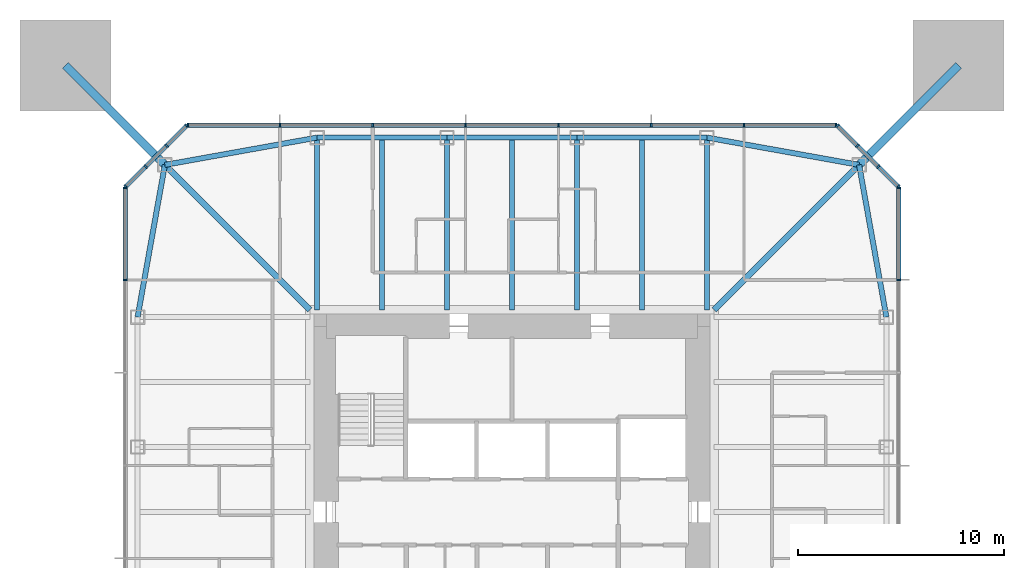
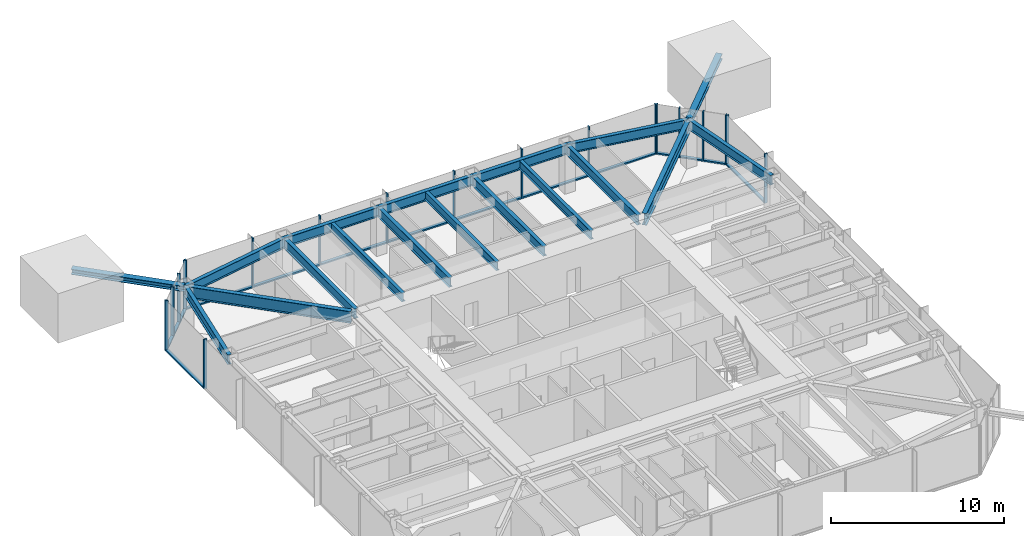
# One storey, part 4 of 11: 37 members, 16 beams, 5 elements without a shape of their own.
"""IFC4 building model written with IfcOpenShell, lengths in metres."""

import ifcopenshell
import ifcopenshell.guid

model = None  # the IFC model being written
_history = None  # IfcOwnerHistory: only IFC2X3 demands one
_inside = {}  # id of a spatial element -> (the spatial element, [elements in it])
_under = {}  # id of a project, library or spatial element -> (it, [spatial elements below it])
_declared = {}  # id of a project -> (the project, [libraries it declares])
_typed = {}  # id of a type object -> (the type object, [elements of that type])
_made_of = {}  # id of a material, layer set ... -> (it, [elements and type objects made of it])


def new_model(schema):
    """Start an empty IFC model of exactly this schema.

    Asked for "IFC4X3", IfcOpenShell would pick the latest addendum, in which some entities
    have other attributes; the version numbers below select the first issue.
    IFC2X3 requires an IfcOwnerHistory on every rooted entity: one is made here for all.
    """
    global model, _history
    if schema == "IFC4X3":
        model = ifcopenshell.file(schema_version=(4, 3, 0, 0))
    else:
        model = ifcopenshell.file(schema=schema)
    _inside.clear()
    _under.clear()
    _declared.clear()
    _typed.clear()
    _made_of.clear()
    _history = None
    if model.schema == "IFC2X3":
        org = make("IfcOrganization", Name="unknown")
        user = make(
            "IfcPersonAndOrganization",
            ThePerson=make("IfcPerson", FamilyName="unknown"),
            TheOrganization=org,
        )
        app = make(
            "IfcApplication",
            ApplicationDeveloper=org,
            Version="unknown",
            ApplicationFullName="unknown",
            ApplicationIdentifier="unknown",
        )
        _history = make(
            "IfcOwnerHistory",
            OwningUser=user,
            OwningApplication=app,
            ChangeAction="ADDED",
            CreationDate=0,
        )
    return model


def make(cls, **values):
    """One entity of the class cls with the attributes given. An attribute that is None is left unset."""
    return model.create_entity(
        cls, **{name: value for name, value in values.items() if value is not None}
    )


def rooted(cls, **values):
    """An entity with a GlobalId (a new one), such as an element, a storey or a relation."""
    return make(cls, GlobalId=ifcopenshell.guid.new(), OwnerHistory=_history, **values)


def si_unit(unit_type, name, prefix=None):
    """IfcSIUnit, for example si_unit("LENGTHUNIT", "METRE", prefix="MILLI")."""
    return make("IfcSIUnit", UnitType=unit_type, Prefix=prefix, Name=name)


def assignment(units):
    """IfcUnitAssignment: the units of a project."""
    return None if units is None else make("IfcUnitAssignment", Units=units)


def point(xyz):
    """IfcCartesianPoint."""
    return None if xyz is None else make("IfcCartesianPoint", Coordinates=xyz)


def direction(xyz):
    """IfcDirection."""
    return None if xyz is None else make("IfcDirection", DirectionRatios=xyz)


def frame(location, z_axis=None, x_axis=None):
    """IfcAxis2Placement3D, a coordinate frame: its origin and axes. An axis left out is left unset."""
    return make(
        "IfcAxis2Placement3D",
        Location=point(location),
        Axis=direction(z_axis),
        RefDirection=direction(x_axis),
    )


def frame_2d(location, x_axis=None):
    """IfcAxis2Placement2D, a coordinate frame in the plane: its origin and x axis."""
    return make(
        "IfcAxis2Placement2D", Location=point(location), RefDirection=direction(x_axis)
    )


def origin():
    """The frame at (0, 0, 0) with its axes left unset."""
    return frame((0.0, 0.0, 0.0))


def origin_2d():
    """The frame at (0, 0) in the plane with its x axis left unset."""
    return frame_2d((0.0, 0.0))


def place(relative_to, where):
    """IfcLocalPlacement: puts the frame where relative to a parent placement (None: the world)."""
    return make(
        "IfcLocalPlacement", PlacementRelTo=relative_to, RelativePlacement=where
    )


def context(
    kind, dimensions, precision=None, world=None, true_north=None, identifier=None
):
    """IfcGeometricRepresentationContext, for example the 3D "Model" context."""
    return make(
        "IfcGeometricRepresentationContext",
        ContextIdentifier=identifier,
        ContextType=kind,
        CoordinateSpaceDimension=dimensions,
        Precision=precision,
        WorldCoordinateSystem=world,
        TrueNorth=true_north,
    )


def subcontext(parent, identifier, kind, view, scale=None):
    """IfcGeometricRepresentationSubContext, for example "Body" below "Model"."""
    return make(
        "IfcGeometricRepresentationSubContext",
        ContextIdentifier=identifier,
        ContextType=kind,
        ParentContext=parent,
        TargetScale=scale,
        TargetView=view,
    )


def project(units=None, contexts=None):
    """IfcProject with its units and contexts."""
    return rooted(
        "IfcProject",
        Name="project",
        RepresentationContexts=contexts,
        UnitsInContext=assignment(units),
    )


def spatial(cls, under=None, at=None, **own):
    """A site, building, storey or space (cls), placed at a placement, below another one or the project."""
    s = rooted(cls, ObjectPlacement=at, **own)
    if under is not None:
        _under.setdefault(under.id(), (under, []))[1].append(s)
    return s


def profile(cls, at=None, kind="AREA", **sizes):
    """A parametric profile (cls). Its sizes go by their IFC names, for example OverallWidth=200.0."""
    return make(cls, ProfileType=kind, Position=at, **sizes)


def rectangle(**sizes):
    """IfcRectangleProfileDef."""
    return profile("IfcRectangleProfileDef", **sizes)


def i_section(**sizes):
    """IfcIShapeProfileDef."""
    return profile("IfcIShapeProfileDef", **sizes)


def extrude(swept, where, along, depth):
    """IfcExtrudedAreaSolid: the profile swept, set in the frame where, extruded along a direction by depth."""
    return make(
        "IfcExtrudedAreaSolid",
        SweptArea=swept,
        Position=where,
        ExtrudedDirection=direction(along),
        Depth=depth,
    )


def shape(context_of_items, identifier, shape_type, items):
    """IfcShapeRepresentation: the items that make up one representation, for example the "Body"."""
    return make(
        "IfcShapeRepresentation",
        ContextOfItems=context_of_items,
        RepresentationIdentifier=identifier,
        RepresentationType=shape_type,
        Items=items,
    )


def material(Name=None, Category=None):
    """IfcMaterial."""
    return make("IfcMaterial", Name=Name, Category=Category)


def material_profile(
    of_material, cross_section, Name=None, Category=None, Priority=None
):
    """IfcMaterialProfile: a cross section and its material."""
    return make(
        "IfcMaterialProfile",
        Name=Name,
        Material=of_material,
        Profile=cross_section,
        Priority=Priority,
        Category=Category,
    )


def profile_set(profiles, Name=None, composite=None):
    """IfcMaterialProfileSet."""
    return make(
        "IfcMaterialProfileSet",
        Name=Name,
        MaterialProfiles=profiles,
        CompositeProfile=composite,
    )


def made_of(thing, what):
    """Note that an element or type object is made of a material, layer set ...; save() writes the relation."""
    if what is not None:
        _made_of.setdefault(what.id(), (what, []))[1].append(thing)
    return thing


def type_object(cls, material=None, **own):
    """A type object (cls), such as IfcWallType, which elements share."""
    return made_of(rooted(cls, **own), material)


def element(
    cls,
    number,
    at=None,
    inside=None,
    cuts=None,
    type_object=None,
    material=None,
    context=None,
    identifier="Body",
    shape_type=None,
    held_by="IfcProductDefinitionShape",
    body=None,
    shapes=None,
    **own,
):
    """One element of the class cls, such as IfcWall. Its Tag is "e" and its number.

    at: its placement. inside: the storey or other place that contains it. cuts: it is an
    opening in that element (IfcRelVoidsElement). A single representation is given by context,
    identifier, shape_type and body (its items); several are given by shapes. held_by: the class
    of the entity that holds the representations. save() writes the other relations.
    """
    e = rooted(cls, Tag="e%d" % number, ObjectPlacement=at, **own)
    if body is not None:
        shapes = [shape(context, identifier, shape_type, body)]
    if shapes is not None:
        e.Representation = make(held_by, Representations=shapes)
    if inside is not None:
        _inside.setdefault(inside.id(), (inside, []))[1].append(e)
    if cuts is not None:
        rooted(
            "IfcRelVoidsElement", RelatingBuildingElement=cuts, RelatedOpeningElement=e
        )
    if type_object is not None:
        _typed.setdefault(type_object.id(), (type_object, []))[1].append(e)
    return made_of(e, material)


def aggregate(whole, parts):
    """IfcRelAggregates: a whole, such as a stair, and the parts it consists of."""
    return rooted("IfcRelAggregates", RelatingObject=whole, RelatedObjects=parts)


def save(model, path):
    """Write the relations noted so far, then the file.

    IfcRelAggregates (storeys below a building ...), IfcRelContainedInSpatialStructure (elements
    in a storey), IfcRelDefinesByType, IfcRelAssociatesMaterial and IfcRelDeclares: one each for
    every whole, place, type object, material and project.
    """
    for whole, parts in _under.values():
        aggregate(whole, parts)
    for where, things in _inside.values():
        rooted(
            "IfcRelContainedInSpatialStructure",
            RelatedElements=things,
            RelatingStructure=where,
        )
    for kind, things in _typed.values():
        rooted("IfcRelDefinesByType", RelatedObjects=things, RelatingType=kind)
    for what, things in _made_of.values():
        rooted("IfcRelAssociatesMaterial", RelatedObjects=things, RelatingMaterial=what)
    for by, libraries in _declared.values():
        rooted("IfcRelDeclares", RelatingContext=by, RelatedDefinitions=libraries)
    model.write(path)


model = new_model("IFC4")

# Units and contexts
model_context = context("Model", 3, precision=1e-05, world=origin(), true_north=direction((0.0, 1.0)))
body_context = subcontext(model_context, "Body", "Model", "MODEL_VIEW")
ifc_project = project(units=[si_unit("LENGTHUNIT", "METRE"), si_unit("AREAUNIT", "SQUARE_METRE"), si_unit("VOLUMEUNIT", "CUBIC_METRE"), si_unit("PLANEANGLEUNIT", "RADIAN"), si_unit("MASSUNIT", "GRAM", prefix="KILO")], contexts=[model_context])

# Site, building, storey
site_placement = place(None, origin())
site = spatial("IfcSite", under=ifc_project, at=site_placement, CompositionType="ELEMENT")
building_placement = place(site_placement, origin())
building = spatial("IfcBuilding", under=site, at=building_placement, Name="Iwan Alto Co-Living Towers", CompositionType="ELEMENT")
storey_placement = place(building_placement, frame((0.0, 0.0, 163.5)))
storey = spatial("IfcBuildingStorey", under=building, at=storey_placement, Name="L44", CompositionType="ELEMENT", Elevation=163.5)

# Curtain wall, members
ifc_material_1 = material(Name="Bronze aluminium unitised frame", Category="aluminium")
curtain_wall_type_1 = type_object("IfcCurtainWallType", Name="CURTAIN WALL CW-A", PredefinedType="NOTDEFINED", material=ifc_material_1)
curtain_wall_1_placement = place(storey_placement, origin())
curtain_wall_1 = element("IfcCurtainWall", 1, at=curtain_wall_1_placement, inside=storey, type_object=curtain_wall_type_1, Name="T1 curtain wall E L44", PredefinedType="NOTDEFINED")
ifc_material_2 = material(Name="Aluminium 6063-T6 bronze anodised", Category="aluminium")
ifc_material_profile_1 = material_profile(ifc_material_2, rectangle(XDim=0.199951171875, YDim=0.080078125, at=origin_2d()), Name="AL 80X200")
ifc_profile_set_1 = profile_set([ifc_material_profile_1], Name="Aluminium 6063-T6 bronze anodised")
member_type_1 = type_object("IfcMemberType", Name="CW-A MULLION 80X200", PredefinedType="MULLION", material=ifc_profile_set_1)
member_1_placement = place(storey_placement, frame((18.75, 11.25, 0.0), z_axis=(0.0, 0.0, 1.0), x_axis=(-1.0, 0.0, 0.0)))
member_1 = element("IfcMember", 2, at=member_1_placement, type_object=member_type_1, Name="CW-A mullion 7", PredefinedType="MULLION", context=body_context, shape_type="SweptSolid", body=[
    extrude(rectangle(XDim=0.199951171875, YDim=0.080078125, at=origin_2d()), origin(), (0.0, 0.0, 1.0), 3.5),
])
member_2_placement = place(storey_placement, frame((18.75, 15.7099609375, 0.0), z_axis=(0.0, 0.0, 1.0), x_axis=(-1.0, 0.0, 0.0)))
member_2 = element("IfcMember", 3, at=member_2_placement, type_object=member_type_1, Name="CW-A mullion 8", PredefinedType="MULLION", context=body_context, shape_type="SweptSolid", body=[
    extrude(rectangle(XDim=0.199951171875, YDim=0.080078125, at=origin_2d()), origin(), (0.0, 0.0, 1.0), 3.5),
])

curtain_wall_2_placement = place(storey_placement, origin())
curtain_wall_2 = element("IfcCurtainWall", 4, at=curtain_wall_2_placement, inside=storey, type_object=curtain_wall_type_1, Name="T1 curtain wall N L44", PredefinedType="NOTDEFINED")
member_3_placement = place(storey_placement, frame((15.7099609375, 18.75, 0.0), z_axis=(0.0, 0.0, 1.0), x_axis=(0.0, -1.0, 0.0)))
member_3 = element("IfcMember", 5, at=member_3_placement, type_object=member_type_1, Name="CW-A mullion 1", PredefinedType="MULLION", context=body_context, shape_type="SweptSolid", body=[
    extrude(rectangle(XDim=0.199951171875, YDim=0.080078125, at=origin_2d()), origin(), (0.0, 0.0, 1.0), 3.5),
])
member_4_placement = place(storey_placement, frame((11.25, 18.75, 0.0), z_axis=(0.0, 0.0, 1.0), x_axis=(0.0, -1.0, 0.0)))
member_4 = element("IfcMember", 6, at=member_4_placement, type_object=member_type_1, Name="CW-A mullion 2", PredefinedType="MULLION", context=body_context, shape_type="SweptSolid", body=[
    extrude(rectangle(XDim=0.199951171875, YDim=0.080078125, at=origin_2d()), origin(), (0.0, 0.0, 1.0), 3.5),
])
member_5_placement = place(storey_placement, frame((6.75, 18.75, 0.0), z_axis=(0.0, 0.0, 1.0), x_axis=(0.0, -1.0, 0.0)))
member_5 = element("IfcMember", 7, at=member_5_placement, type_object=member_type_1, Name="CW-A mullion 3", PredefinedType="MULLION", context=body_context, shape_type="SweptSolid", body=[
    extrude(rectangle(XDim=0.199951171875, YDim=0.080078125, at=origin_2d()), origin(), (0.0, 0.0, 1.0), 3.5),
])
member_6_placement = place(storey_placement, frame((2.25, 18.75, 0.0), z_axis=(0.0, 0.0, 1.0), x_axis=(0.0, -1.0, 0.0)))
member_6 = element("IfcMember", 8, at=member_6_placement, type_object=member_type_1, Name="CW-A mullion 4", PredefinedType="MULLION", context=body_context, shape_type="SweptSolid", body=[
    extrude(rectangle(XDim=0.199951171875, YDim=0.080078125, at=origin_2d()), origin(), (0.0, 0.0, 1.0), 3.5),
])
member_7_placement = place(storey_placement, frame((-2.25, 18.75, 0.0), z_axis=(0.0, 0.0, 1.0), x_axis=(0.0, -1.0, 0.0)))
member_7 = element("IfcMember", 9, at=member_7_placement, type_object=member_type_1, Name="CW-A mullion 5", PredefinedType="MULLION", context=body_context, shape_type="SweptSolid", body=[
    extrude(rectangle(XDim=0.199951171875, YDim=0.080078125, at=origin_2d()), origin(), (0.0, 0.0, 1.0), 3.5),
])
member_8_placement = place(storey_placement, frame((-6.75, 18.75, 0.0), z_axis=(0.0, 0.0, 1.0), x_axis=(0.0, -1.0, 0.0)))
member_8 = element("IfcMember", 10, at=member_8_placement, type_object=member_type_1, Name="CW-A mullion 6", PredefinedType="MULLION", context=body_context, shape_type="SweptSolid", body=[
    extrude(rectangle(XDim=0.199951171875, YDim=0.080078125, at=origin_2d()), origin(), (0.0, 0.0, 1.0), 3.5),
])
member_9_placement = place(storey_placement, frame((-11.25, 18.75, 0.0), z_axis=(0.0, 0.0, 1.0), x_axis=(0.0, -1.0, 0.0)))
member_9 = element("IfcMember", 11, at=member_9_placement, type_object=member_type_1, Name="CW-A mullion 7", PredefinedType="MULLION", context=body_context, shape_type="SweptSolid", body=[
    extrude(rectangle(XDim=0.199951171875, YDim=0.080078125, at=origin_2d()), origin(), (0.0, 0.0, 1.0), 3.5),
])
member_10_placement = place(storey_placement, frame((-15.7099609375, 18.75, 0.0), z_axis=(0.0, 0.0, 1.0), x_axis=(0.0, -1.0, 0.0)))
member_10 = element("IfcMember", 12, at=member_10_placement, type_object=member_type_1, Name="CW-A mullion 8", PredefinedType="MULLION", context=body_context, shape_type="SweptSolid", body=[
    extrude(rectangle(XDim=0.199951171875, YDim=0.080078125, at=origin_2d()), origin(), (0.0, 0.0, 1.0), 3.5),
])

curtain_wall_3_placement = place(storey_placement, origin())
curtain_wall_3 = element("IfcCurtainWall", 13, at=curtain_wall_3_placement, inside=storey, type_object=curtain_wall_type_1, Name="T1 curtain wall W L44", PredefinedType="NOTDEFINED")
member_11_placement = place(storey_placement, frame((-18.75, 15.7099609375, 0.0), z_axis=(0.0, 0.0, 1.0), x_axis=(1.0, 0.0, 0.0)))
member_11 = element("IfcMember", 14, at=member_11_placement, type_object=member_type_1, Name="CW-A mullion 1", PredefinedType="MULLION", context=body_context, shape_type="SweptSolid", body=[
    extrude(rectangle(XDim=0.199951171875, YDim=0.080078125, at=origin_2d()), origin(), (0.0, 0.0, 1.0), 3.5),
])
member_12_placement = place(storey_placement, frame((-18.75, 11.25, 0.0), z_axis=(0.0, 0.0, 1.0), x_axis=(1.0, 0.0, 0.0)))
member_12 = element("IfcMember", 15, at=member_12_placement, type_object=member_type_1, Name="CW-A mullion 2", PredefinedType="MULLION", context=body_context, shape_type="SweptSolid", body=[
    extrude(rectangle(XDim=0.199951171875, YDim=0.080078125, at=origin_2d()), origin(), (0.0, 0.0, 1.0), 3.5),
])

# Member
ifc_material_3 = material(Name="Aluminium 6063-T6 bronze anodised", Category="aluminium")
ifc_material_profile_2 = material_profile(ifc_material_3, rectangle(XDim=0.199951171875, YDim=0.10009765625, at=origin_2d()), Name="AL 200X100")
ifc_profile_set_2 = profile_set([ifc_material_profile_2], Name="Aluminium 6063-T6 bronze anodised")
member_type_2 = type_object("IfcMemberType", Name="CW-A TRANSOM 200X100", PredefinedType="USERDEFINED", material=ifc_profile_set_2)
member_13_placement = place(storey_placement, frame((18.75, 11.2900390625, 0.050048828125), z_axis=(0.0, 1.0, 0.0), x_axis=(-1.0, 0.0, 0.0)))
member_13 = element("IfcMember", 16, at=member_13_placement, type_object=member_type_2, Name="CW-A transom 7.1", ObjectType="TRANSOM", PredefinedType="USERDEFINED", context=body_context, shape_type="SweptSolid", body=[
    extrude(rectangle(XDim=0.199951171875, YDim=0.10009765625, at=origin_2d()), origin(), (0.0, 0.0, 1.0), 4.3798828125),
])

aggregate(curtain_wall_1, [member_1, member_2, member_13])

member_14_placement = place(storey_placement, frame((15.669921875, 18.75, 0.050048828125), z_axis=(-1.0, 0.0, 0.0), x_axis=(0.0, -1.0, 0.0)))
member_14 = element("IfcMember", 17, at=member_14_placement, type_object=member_type_2, Name="CW-A transom 1.1", ObjectType="TRANSOM", PredefinedType="USERDEFINED", context=body_context, shape_type="SweptSolid", body=[
    extrude(rectangle(XDim=0.199951171875, YDim=0.10009765625, at=origin_2d()), origin(), (0.0, 0.0, 1.0), 4.3798828125),
])

member_15_placement = place(storey_placement, frame((11.2099609375, 18.75, 0.050048828125), z_axis=(-1.0, 0.0, 0.0), x_axis=(0.0, -1.0, 0.0)))
member_15 = element("IfcMember", 18, at=member_15_placement, type_object=member_type_2, Name="CW-A transom 2.1", ObjectType="TRANSOM", PredefinedType="USERDEFINED", context=body_context, shape_type="SweptSolid", body=[
    extrude(rectangle(XDim=0.199951171875, YDim=0.10009765625, at=origin_2d()), origin(), (0.0, 0.0, 1.0), 4.419921875),
])

member_16_placement = place(storey_placement, frame((6.7099609375, 18.75, 0.050048828125), z_axis=(-1.0, 0.0, 0.0), x_axis=(0.0, -1.0, 0.0)))
member_16 = element("IfcMember", 19, at=member_16_placement, type_object=member_type_2, Name="CW-A transom 3.1", ObjectType="TRANSOM", PredefinedType="USERDEFINED", context=body_context, shape_type="SweptSolid", body=[
    extrude(rectangle(XDim=0.199951171875, YDim=0.10009765625, at=origin_2d()), origin(), (0.0, 0.0, 1.0), 4.419921875),
])

member_17_placement = place(storey_placement, frame((2.2099609375, 18.75, 0.050048828125), z_axis=(-1.0, 0.0, 0.0), x_axis=(0.0, -1.0, 0.0)))
member_17 = element("IfcMember", 20, at=member_17_placement, type_object=member_type_2, Name="CW-A transom 4.1", ObjectType="TRANSOM", PredefinedType="USERDEFINED", context=body_context, shape_type="SweptSolid", body=[
    extrude(rectangle(XDim=0.199951171875, YDim=0.10009765625, at=origin_2d()), origin(), (0.0, 0.0, 1.0), 4.419921875),
])

member_18_placement = place(storey_placement, frame((-2.2900390625, 18.75, 0.050048828125), z_axis=(-1.0, 0.0, 0.0), x_axis=(0.0, -1.0, 0.0)))
member_18 = element("IfcMember", 21, at=member_18_placement, type_object=member_type_2, Name="CW-A transom 5.1", ObjectType="TRANSOM", PredefinedType="USERDEFINED", context=body_context, shape_type="SweptSolid", body=[
    extrude(rectangle(XDim=0.199951171875, YDim=0.10009765625, at=origin_2d()), origin(), (0.0, 0.0, 1.0), 4.419921875),
])

member_19_placement = place(storey_placement, frame((-6.7900390625, 18.75, 0.050048828125), z_axis=(-1.0, 0.0, 0.0), x_axis=(0.0, -1.0, 0.0)))
member_19 = element("IfcMember", 22, at=member_19_placement, type_object=member_type_2, Name="CW-A transom 6.1", ObjectType="TRANSOM", PredefinedType="USERDEFINED", context=body_context, shape_type="SweptSolid", body=[
    extrude(rectangle(XDim=0.199951171875, YDim=0.10009765625, at=origin_2d()), origin(), (0.0, 0.0, 1.0), 4.419921875),
])

member_20_placement = place(storey_placement, frame((-11.2900390625, 18.75, 0.050048828125), z_axis=(-1.0, 0.0, 0.0), x_axis=(0.0, -1.0, 0.0)))
member_20 = element("IfcMember", 23, at=member_20_placement, type_object=member_type_2, Name="CW-A transom 7.1", ObjectType="TRANSOM", PredefinedType="USERDEFINED", context=body_context, shape_type="SweptSolid", body=[
    extrude(rectangle(XDim=0.199951171875, YDim=0.10009765625, at=origin_2d()), origin(), (0.0, 0.0, 1.0), 4.3798828125),
])

aggregate(curtain_wall_2, [member_3, member_4, member_5, member_6, member_7, member_8, member_9, member_10, member_14, member_15, member_16, member_17, member_18, member_19, member_20])

member_21_placement = place(storey_placement, frame((-18.75, 15.669921875, 0.050048828125), z_axis=(0.0, -1.0, 0.0), x_axis=(1.0, 0.0, 0.0)))
member_21 = element("IfcMember", 24, at=member_21_placement, type_object=member_type_2, Name="CW-A transom 1.1", ObjectType="TRANSOM", PredefinedType="USERDEFINED", context=body_context, shape_type="SweptSolid", body=[
    extrude(rectangle(XDim=0.199951171875, YDim=0.10009765625, at=origin_2d()), origin(), (0.0, 0.0, 1.0), 4.3798828125),
])

aggregate(curtain_wall_3, [member_11, member_12, member_21])

# Curtain wall, members
ifc_material_4 = material(Name="Bronze aluminium unitised frame", Category="aluminium")
curtain_wall_type_2 = type_object("IfcCurtainWallType", Name="CURTAIN WALL CW-B", PredefinedType="NOTDEFINED", material=ifc_material_4)
curtain_wall_4_placement = place(storey_placement, origin())
curtain_wall_4 = element("IfcCurtainWall", 25, at=curtain_wall_4_placement, inside=storey, type_object=curtain_wall_type_2, Name="T1 chamfer curtain wall NE L44", PredefinedType="NOTDEFINED")
ifc_material_5 = material(Name="Aluminium 6063-T6 bronze anodised", Category="aluminium")
ifc_material_profile_3 = material_profile(ifc_material_5, rectangle(XDim=0.199951171875, YDim=0.080078125, at=origin_2d()), Name="AL 80X200")
ifc_profile_set_3 = profile_set([ifc_material_profile_3], Name="Aluminium 6063-T6 bronze anodised")
member_type_3 = type_object("IfcMemberType", Name="CW-B MULLION 80X200", PredefinedType="MULLION", material=ifc_profile_set_3)
member_22_placement = place(storey_placement, frame((18.7216796875, 15.7783203125, 0.0), z_axis=(0.0, 0.0, 1.0), x_axis=(-0.707106781187, -0.707106781187, 0.0)))
member_22 = element("IfcMember", 26, at=member_22_placement, type_object=member_type_3, Name="CW-B mullion 1", PredefinedType="MULLION", context=body_context, shape_type="SweptSolid", body=[
    extrude(rectangle(XDim=0.199951171875, YDim=0.080078125, at=origin_2d()), origin(), (0.0, 0.0, 1.0), 3.5),
])
member_23_placement = place(storey_placement, frame((17.75, 16.75, 0.0), z_axis=(0.0, 0.0, 1.0), x_axis=(-0.707106781187, -0.707106781187, 0.0)))
member_23 = element("IfcMember", 27, at=member_23_placement, type_object=member_type_3, Name="CW-B mullion 2", PredefinedType="MULLION", context=body_context, shape_type="SweptSolid", body=[
    extrude(rectangle(XDim=0.199951171875, YDim=0.080078125, at=origin_2d()), origin(), (0.0, 0.0, 1.0), 3.5),
])
member_24_placement = place(storey_placement, frame((16.75, 17.75, 0.0), z_axis=(0.0, 0.0, 1.0), x_axis=(-0.707106781187, -0.707106781187, 0.0)))
member_24 = element("IfcMember", 28, at=member_24_placement, type_object=member_type_3, Name="CW-B mullion 3", PredefinedType="MULLION", context=body_context, shape_type="SweptSolid", body=[
    extrude(rectangle(XDim=0.199951171875, YDim=0.080078125, at=origin_2d()), origin(), (0.0, 0.0, 1.0), 3.5),
])
member_25_placement = place(storey_placement, frame((15.7783203125, 18.7216796875, 0.0), z_axis=(0.0, 0.0, 1.0), x_axis=(-0.707106781187, -0.707106781187, 0.0)))
member_25 = element("IfcMember", 29, at=member_25_placement, type_object=member_type_3, Name="CW-B mullion 4", PredefinedType="MULLION", context=body_context, shape_type="SweptSolid", body=[
    extrude(rectangle(XDim=0.199951171875, YDim=0.080078125, at=origin_2d()), origin(), (0.0, 0.0, 1.0), 3.5),
])

curtain_wall_5_placement = place(storey_placement, origin())
curtain_wall_5 = element("IfcCurtainWall", 30, at=curtain_wall_5_placement, inside=storey, type_object=curtain_wall_type_2, Name="T1 chamfer curtain wall NW L44", PredefinedType="NOTDEFINED")
member_26_placement = place(storey_placement, frame((-15.7783203125, 18.7216796875, 0.0), z_axis=(0.0, 0.0, 1.0), x_axis=(0.707106781187, -0.707106781187, 0.0)))
member_26 = element("IfcMember", 31, at=member_26_placement, type_object=member_type_3, Name="CW-B mullion 1", PredefinedType="MULLION", context=body_context, shape_type="SweptSolid", body=[
    extrude(rectangle(XDim=0.199951171875, YDim=0.080078125, at=origin_2d()), origin(), (0.0, 0.0, 1.0), 3.5),
])
member_27_placement = place(storey_placement, frame((-16.75, 17.75, 0.0), z_axis=(0.0, 0.0, 1.0), x_axis=(0.707106781187, -0.707106781187, 0.0)))
member_27 = element("IfcMember", 32, at=member_27_placement, type_object=member_type_3, Name="CW-B mullion 2", PredefinedType="MULLION", context=body_context, shape_type="SweptSolid", body=[
    extrude(rectangle(XDim=0.199951171875, YDim=0.080078125, at=origin_2d()), origin(), (0.0, 0.0, 1.0), 3.5),
])
member_28_placement = place(storey_placement, frame((-17.75, 16.75, 0.0), z_axis=(0.0, 0.0, 1.0), x_axis=(0.707106781187, -0.707106781187, 0.0)))
member_28 = element("IfcMember", 33, at=member_28_placement, type_object=member_type_3, Name="CW-B mullion 3", PredefinedType="MULLION", context=body_context, shape_type="SweptSolid", body=[
    extrude(rectangle(XDim=0.199951171875, YDim=0.080078125, at=origin_2d()), origin(), (0.0, 0.0, 1.0), 3.5),
])
member_29_placement = place(storey_placement, frame((-18.7216796875, 15.7783203125, 0.0), z_axis=(0.0, 0.0, 1.0), x_axis=(0.707106781187, -0.707106781187, 0.0)))
member_29 = element("IfcMember", 34, at=member_29_placement, type_object=member_type_3, Name="CW-B mullion 4", PredefinedType="MULLION", context=body_context, shape_type="SweptSolid", body=[
    extrude(rectangle(XDim=0.199951171875, YDim=0.080078125, at=origin_2d()), origin(), (0.0, 0.0, 1.0), 3.5),
])

# Member
ifc_material_6 = material(Name="Aluminium 6063-T6 bronze anodised", Category="aluminium")
ifc_material_profile_4 = material_profile(ifc_material_6, rectangle(XDim=0.199951171875, YDim=0.10009765625, at=origin_2d()), Name="AL 200X100")
ifc_profile_set_4 = profile_set([ifc_material_profile_4], Name="Aluminium 6063-T6 bronze anodised")
member_type_4 = type_object("IfcMemberType", Name="CW-B TRANSOM 200X100", PredefinedType="USERDEFINED", material=ifc_profile_set_4)
member_30_placement = place(storey_placement, frame((18.693359375, 15.806640625, 0.050048828125), z_axis=(-0.707106781187, 0.707106781187, 0.0), x_axis=(-0.707106781187, -0.707106781187, 0.0)))
member_30 = element("IfcMember", 35, at=member_30_placement, type_object=member_type_4, Name="CW-B transom 1.1", ObjectType="TRANSOM", PredefinedType="USERDEFINED", context=body_context, shape_type="SweptSolid", body=[
    extrude(rectangle(XDim=0.199951171875, YDim=0.10009765625, at=origin_2d()), origin(), (0.0, 0.0, 1.0), 1.2939453125),
])

member_31_placement = place(storey_placement, frame((17.7216796875, 16.7783203125, 0.050048828125), z_axis=(-0.707106781187, 0.707106781187, 0.0), x_axis=(-0.707106781187, -0.707106781187, 0.0)))
member_31 = element("IfcMember", 36, at=member_31_placement, type_object=member_type_4, Name="CW-B transom 2.1", ObjectType="TRANSOM", PredefinedType="USERDEFINED", context=body_context, shape_type="SweptSolid", body=[
    extrude(rectangle(XDim=0.199951171875, YDim=0.10009765625, at=origin_2d()), origin(), (0.0, 0.0, 1.0), 1.334228515625),
])

member_32_placement = place(storey_placement, frame((16.7216796875, 17.7783203125, 0.050048828125), z_axis=(-0.707106781187, 0.707106781187, 0.0), x_axis=(-0.707106781187, -0.707106781187, 0.0)))
member_32 = element("IfcMember", 37, at=member_32_placement, type_object=member_type_4, Name="CW-B transom 3.1", ObjectType="TRANSOM", PredefinedType="USERDEFINED", context=body_context, shape_type="SweptSolid", body=[
    extrude(rectangle(XDim=0.199951171875, YDim=0.10009765625, at=origin_2d()), origin(), (0.0, 0.0, 1.0), 1.2939453125),
])

aggregate(curtain_wall_4, [member_22, member_23, member_24, member_25, member_30, member_31, member_32])

member_33_placement = place(storey_placement, frame((-15.806640625, 18.693359375, 0.050048828125), z_axis=(-0.707106781187, -0.707106781187, 0.0), x_axis=(0.707106781187, -0.707106781187, 0.0)))
member_33 = element("IfcMember", 38, at=member_33_placement, type_object=member_type_4, Name="CW-B transom 1.1", ObjectType="TRANSOM", PredefinedType="USERDEFINED", context=body_context, shape_type="SweptSolid", body=[
    extrude(rectangle(XDim=0.199951171875, YDim=0.10009765625, at=origin_2d()), origin(), (0.0, 0.0, 1.0), 1.2939453125),
])

member_34_placement = place(storey_placement, frame((-16.7783203125, 17.7216796875, 0.050048828125), z_axis=(-0.707106781187, -0.707106781187, 0.0), x_axis=(0.707106781187, -0.707106781187, 0.0)))
member_34 = element("IfcMember", 39, at=member_34_placement, type_object=member_type_4, Name="CW-B transom 2.1", ObjectType="TRANSOM", PredefinedType="USERDEFINED", context=body_context, shape_type="SweptSolid", body=[
    extrude(rectangle(XDim=0.199951171875, YDim=0.10009765625, at=origin_2d()), origin(), (0.0, 0.0, 1.0), 1.334228515625),
])

member_35_placement = place(storey_placement, frame((-17.7783203125, 16.7216796875, 0.050048828125), z_axis=(-0.707106781187, -0.707106781187, 0.0), x_axis=(0.707106781187, -0.707106781187, 0.0)))
member_35 = element("IfcMember", 40, at=member_35_placement, type_object=member_type_4, Name="CW-B transom 3.1", ObjectType="TRANSOM", PredefinedType="USERDEFINED", context=body_context, shape_type="SweptSolid", body=[
    extrude(rectangle(XDim=0.199951171875, YDim=0.10009765625, at=origin_2d()), origin(), (0.0, 0.0, 1.0), 1.2939453125),
])

aggregate(curtain_wall_5, [member_26, member_27, member_28, member_29, member_33, member_34, member_35])

# Beams
ifc_material_7 = material(Name="Steel ASTM A992 Gr 50", Category="steel")
ifc_material_profile_5 = material_profile(ifc_material_7, i_section(OverallWidth=0.2919921875, OverallDepth=0.8408203125, WebThickness=0.0146484375, FlangeThickness=0.021728515625, at=origin_2d()), Name="W33X130")
ifc_profile_set_5 = profile_set([ifc_material_profile_5], Name="Steel ASTM A992 Gr 50")
beam_type_1 = type_object("IfcBeamType", Name="T1 CORNER GIRDER W33X130", PredefinedType="BEAM", material=ifc_profile_set_5)
for number, where, z_axis, x_axis, name in (
    (41, (16.82568359375, 16.82568359375, 2.849609375), (-0.707106781187, -0.707106781187, 0.0), (0.707106781187, -0.707106781187, 0.0), "T1 corner girder CNE L45"),
    (42, (-16.82568359375, 16.82568359375, 2.849609375), (0.707106781187, -0.707106781187, 0.0), (0.707106781187, 0.707106781187, 0.0), "T1 corner girder CNW L45"),
):
    element("IfcBeam", number, at=place(storey_placement, frame(where, z_axis=z_axis, x_axis=x_axis)), inside=storey, type_object=beam_type_1, Name=name, PredefinedType="BEAM", context=body_context, shape_type="SweptSolid", body=[
        extrude(i_section(OverallWidth=0.2919921875, OverallDepth=0.8408203125, WebThickness=0.0146484375, FlangeThickness=0.021728515625, at=origin_2d()), origin(), (0.0, 0.0, 1.0), 9.936767578125),
    ])
ifc_material_8 = material(Name="Steel ASTM A992 Gr 50", Category="steel")
ifc_material_profile_6 = material_profile(ifc_material_8, i_section(OverallWidth=0.25390625, OverallDepth=0.683349609375, WebThickness=0.012451171875, FlangeThickness=0.018798828125, at=origin_2d()), Name="W27X94")
ifc_profile_set_6 = profile_set([ifc_material_profile_6], Name="Steel ASTM A992 Gr 50")
beam_type_2 = type_object("IfcBeamType", Name="T1 EDGE BEAM W27X94", PredefinedType="BEAM", material=ifc_profile_set_6)
for number, where, z_axis, x_axis, name in (
    (43, (18.14990234375, 9.449951171875, 2.928466796875), (-0.17671181143, 0.98426263553, 0.0), (-0.98426263553, -0.17671181143, 0.0), "T1 edge beam E4 L45"),
    (44, (16.82568359375, 16.82568359375, 2.928466796875), (-0.98426263553, 0.17671181143, 0.0), (-0.17671181143, -0.98426263553, 0.0), "T1 edge beam CNE L45"),
):
    element("IfcBeam", number, at=place(storey_placement, frame(where, z_axis=z_axis, x_axis=x_axis)), inside=storey, type_object=beam_type_2, Name=name, PredefinedType="BEAM", context=body_context, shape_type="SweptSolid", body=[
        extrude(i_section(OverallWidth=0.25390625, OverallDepth=0.683349609375, WebThickness=0.012451171875, FlangeThickness=0.018798828125, at=origin_2d()), origin(), (0.0, 0.0, 1.0), 7.49365234375),
    ])
beam_1_placement = place(storey_placement, frame((9.449951171875, 18.14990234375, 2.928466796875), z_axis=(-1.0, 0.0, 0.0), x_axis=(0.0, -1.0, 0.0)))
element("IfcBeam", 45, at=beam_1_placement, inside=storey, type_object=beam_type_2, Name="T1 edge beam N1 L45", PredefinedType="BEAM", context=body_context, shape_type="SweptSolid", body=[
    extrude(i_section(OverallWidth=0.25390625, OverallDepth=0.683349609375, WebThickness=0.012451171875, FlangeThickness=0.018798828125, at=origin_2d()), origin(), (0.0, 0.0, 1.0), 6.300048828125),
])
beam_2_placement = place(storey_placement, frame((3.14990234375, 18.14990234375, 2.928466796875), z_axis=(-1.0, 0.0, 0.0), x_axis=(0.0, -1.0, 0.0)))
element("IfcBeam", 46, at=beam_2_placement, inside=storey, type_object=beam_type_2, Name="T1 edge beam N2 L45", PredefinedType="BEAM", context=body_context, shape_type="SweptSolid", body=[
    extrude(i_section(OverallWidth=0.25390625, OverallDepth=0.683349609375, WebThickness=0.012451171875, FlangeThickness=0.018798828125, at=origin_2d()), origin(), (0.0, 0.0, 1.0), 6.2998046875),
])
beam_3_placement = place(storey_placement, frame((-3.14990234375, 18.14990234375, 2.928466796875), z_axis=(-1.0, 0.0, 0.0), x_axis=(0.0, -1.0, 0.0)))
element("IfcBeam", 47, at=beam_3_placement, inside=storey, type_object=beam_type_2, Name="T1 edge beam N3 L45", PredefinedType="BEAM", context=body_context, shape_type="SweptSolid", body=[
    extrude(i_section(OverallWidth=0.25390625, OverallDepth=0.683349609375, WebThickness=0.012451171875, FlangeThickness=0.018798828125, at=origin_2d()), origin(), (0.0, 0.0, 1.0), 6.300048828125),
])
for number, where, z_axis, x_axis, name in (
    (48, (-9.449951171875, 18.14990234375, 2.928466796875), (-0.98426263553, -0.17671181143, 0.0), (0.17671181143, -0.98426263553, 0.0), "T1 edge beam N4 L45"),
    (49, (-16.82568359375, 16.82568359375, 2.928466796875), (-0.17671181143, -0.98426263553, 0.0), (0.98426263553, -0.17671181143, 0.0), "T1 edge beam CNW L45"),
):
    element("IfcBeam", number, at=place(storey_placement, frame(where, z_axis=z_axis, x_axis=x_axis)), inside=storey, type_object=beam_type_2, Name=name, PredefinedType="BEAM", context=body_context, shape_type="SweptSolid", body=[
        extrude(i_section(OverallWidth=0.25390625, OverallDepth=0.683349609375, WebThickness=0.012451171875, FlangeThickness=0.018798828125, at=origin_2d()), origin(), (0.0, 0.0, 1.0), 7.49365234375),
    ])

# Members
ifc_material_9 = material(Name="Steel ASTM A992 Gr 50", Category="steel")
ifc_material_profile_7 = material_profile(ifc_material_9, i_section(OverallWidth=0.393798828125, OverallDepth=0.3759765625, WebThickness=0.017333984375, FlangeThickness=0.027587890625, at=origin_2d()), Name="W14X145")
ifc_profile_set_7 = profile_set([ifc_material_profile_7], Name="Steel ASTM A992 Gr 50")
member_type_5 = type_object("IfcMemberType", Name="T1 MEGA COLUMN FLOOR TIE W14X145", PredefinedType="STRUT", material=ifc_profile_set_7)
for number, where, z_axis, x_axis, name in (
    (50, (21.64990234375, 21.64990234375, 3.08203125), (-0.707106781187, -0.707106781187, 0.0), (0.707106781187, -0.707106781187, 0.0), "T1 mega column floor tie NE L45"),
    (51, (-21.64990234375, 21.64990234375, 3.08203125), (0.707106781187, -0.707106781187, 0.0), (0.707106781187, 0.707106781187, 0.0), "T1 mega column floor tie NW L45"),
):
    element("IfcMember", number, at=place(storey_placement, frame(where, z_axis=z_axis, x_axis=x_axis)), inside=storey, type_object=member_type_5, Name=name, PredefinedType="STRUT", context=body_context, shape_type="SweptSolid", body=[
        extrude(i_section(OverallWidth=0.393798828125, OverallDepth=0.3759765625, WebThickness=0.017333984375, FlangeThickness=0.027587890625, at=origin_2d()), origin(), (0.0, 0.0, 1.0), 6.822509765625),
    ])

# Beams
ifc_material_10 = material(Name="Steel ASTM A992 Gr 50", Category="steel")
ifc_material_profile_8 = material_profile(ifc_material_10, i_section(OverallWidth=0.25390625, OverallDepth=0.683349609375, WebThickness=0.012451171875, FlangeThickness=0.018798828125, at=origin_2d()), Name="W27X94")
ifc_profile_set_8 = profile_set([ifc_material_profile_8], Name="Steel ASTM A992 Gr 50")
beam_type_3 = type_object("IfcBeamType", Name="T1 RADIAL BEAM W27X94", PredefinedType="BEAM", material=ifc_profile_set_8)
for number, where, z_axis, x_axis, name in (
    (52, (9.449951171875, 18.14990234375, 2.928466796875), (0.0, -1.0, 0.0), (1.0, 0.0, 0.0), "T1 radial beam N1 L45"),
    (53, (3.14990234375, 18.14990234375, 2.928466796875), (0.0, -1.0, 0.0), (1.0, 0.0, 0.0), "T1 radial beam N2 L45"),
    (54, (-3.14990234375, 18.14990234375, 2.928466796875), (0.0, -1.0, 0.0), (1.0, 0.0, 0.0), "T1 radial beam N3 L45"),
    (55, (-9.449951171875, 18.14990234375, 2.928466796875), (0.0, -1.0, 0.0), (1.0, 0.0, 0.0), "T1 radial beam N4 L45"),
):
    element("IfcBeam", number, at=place(storey_placement, frame(where, z_axis=z_axis, x_axis=x_axis)), inside=storey, type_object=beam_type_3, Name=name, PredefinedType="BEAM", context=body_context, shape_type="SweptSolid", body=[
        extrude(i_section(OverallWidth=0.25390625, OverallDepth=0.683349609375, WebThickness=0.012451171875, FlangeThickness=0.018798828125, at=origin_2d()), origin(), (0.0, 0.0, 1.0), 8.3505859375),
    ])
ifc_material_11 = material(Name="Steel ASTM A992 Gr 50", Category="steel")
ifc_material_profile_9 = material_profile(ifc_material_11, i_section(OverallWidth=0.228271484375, OverallDepth=0.607177734375, WebThickness=0.01123046875, FlangeThickness=0.017333984375, at=origin_2d()), Name="W24X76")
ifc_profile_set_9 = profile_set([ifc_material_profile_9], Name="Steel ASTM A992 Gr 50")
beam_type_4 = type_object("IfcBeamType", Name="T1 SECONDARY BEAM W24X76", PredefinedType="JOIST", material=ifc_profile_set_9)
for number, where, z_axis, x_axis, name in (
    (56, (6.300048828125, 18.14990234375, 2.966552734375), (0.0, -1.0, 0.0), (1.0, 0.0, 0.0), "T1 secondary beam N1 L45"),
    (57, (0.0, 18.14990234375, 2.966552734375), (0.0, -1.0, 0.0), (1.0, 0.0, 0.0), "T1 secondary beam N2 L45"),
    (58, (-6.300048828125, 18.14990234375, 2.966552734375), (0.0, -1.0, 0.0), (1.0, 0.0, 0.0), "T1 secondary beam N3 L45"),
):
    element("IfcBeam", number, at=place(storey_placement, frame(where, z_axis=z_axis, x_axis=x_axis)), inside=storey, type_object=beam_type_4, Name=name, PredefinedType="JOIST", context=body_context, shape_type="SweptSolid", body=[
        extrude(i_section(OverallWidth=0.228271484375, OverallDepth=0.607177734375, WebThickness=0.01123046875, FlangeThickness=0.017333984375, at=origin_2d()), origin(), (0.0, 0.0, 1.0), 8.3505859375),
    ])

save(model, "model.ifc")
